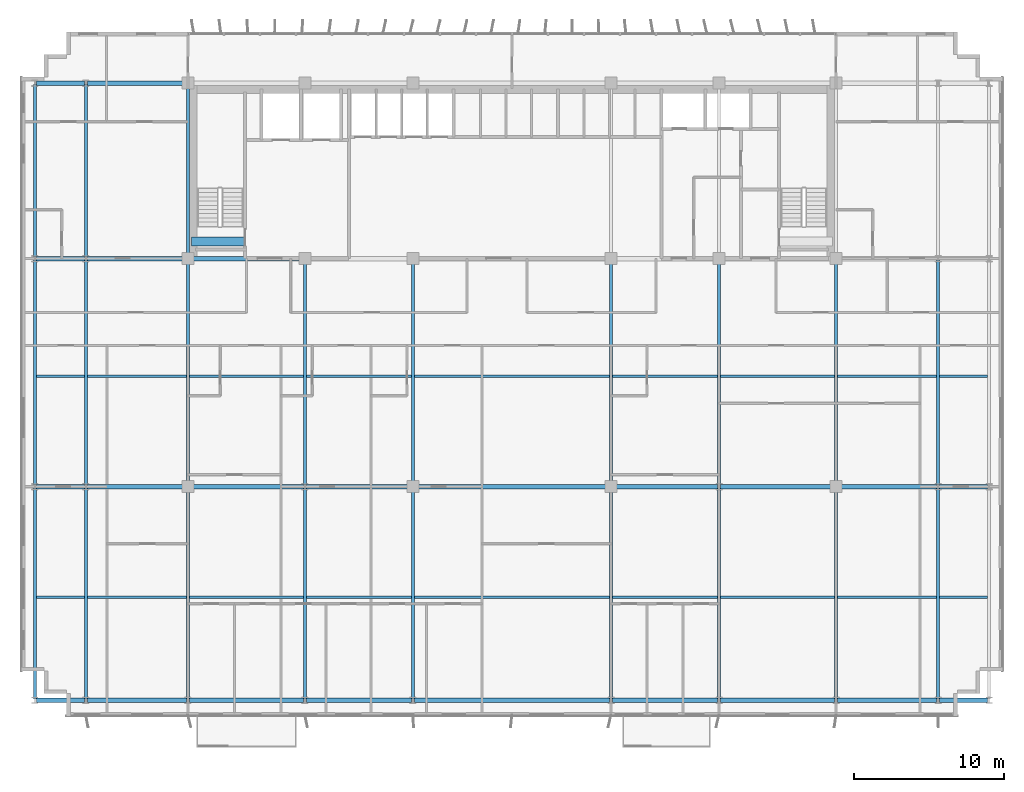
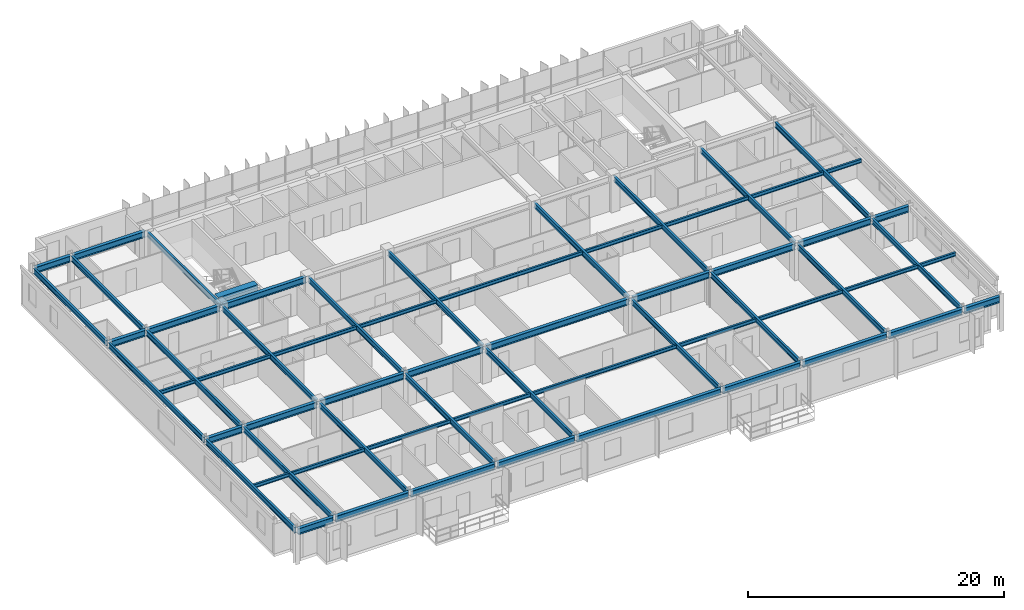
# One storey, part 4 of 22: 63 beams.
"""IFC4 building model written with IfcOpenShell, lengths in metres."""

from ifc_helpers import new_model, si_unit, direction, frame, origin, origin_2d, place, context, subcontext, project, spatial, rectangle, i_section, extrude, source, transform, mapped, material, material_profile, profile_set, type_object, element, save


model = new_model("IFC4")

# Units and contexts
model_context = context("Model", 3, precision=1e-05, world=origin(), true_north=direction((0.0, 1.0)))
body_context = subcontext(model_context, "Body", "Model", "MODEL_VIEW")
ifc_project = project(units=[si_unit("LENGTHUNIT", "METRE"), si_unit("AREAUNIT", "SQUARE_METRE"), si_unit("VOLUMEUNIT", "CUBIC_METRE"), si_unit("PLANEANGLEUNIT", "RADIAN"), si_unit("MASSUNIT", "GRAM", prefix="KILO")], contexts=[model_context])

# Site, building, storey
site_placement = place(None, origin())
site = spatial("IfcSite", under=ifc_project, at=site_placement, CompositionType="ELEMENT")
building_placement = place(site_placement, origin())
building = spatial("IfcBuilding", under=site, at=building_placement, Name="Trelvane Seafront Commons", CompositionType="ELEMENT")
storey_placement = place(building_placement, frame((0.0, 0.0, 117.699951171875)))
storey = spatial("IfcBuildingStorey", under=building, at=storey_placement, Name="L30", CompositionType="ELEMENT", Elevation=117.699951171875)

# Beams
ifc_material_1 = material(Name="Concrete C60/75", Category="concrete")
ifc_material_profile_1 = material_profile(ifc_material_1, rectangle(XDim=0.60009765625, YDim=0.89990234375, at=origin_2d()), Name="RC-600x900")
ifc_profile_set_1 = profile_set([ifc_material_profile_1], Name="Concrete C60/75")
beam_type_1 = type_object("IfcBeamType", Name="STR-LNT-RC600x900", PredefinedType="LINTEL", material=ifc_profile_set_1)
shared_shape_1 = source(origin(), body_context, "Body", "SweptSolid", [
    extrude(rectangle(XDim=0.60009765625, YDim=0.89990234375, at=origin_2d()), origin(), (0.0, 0.0, 1.0), 3.5498046875),
])
beam_1_placement = place(storey_placement, frame((15.85009765625, 34.550048828125, 2.89013671875), z_axis=(1.0, 0.0, 0.0), x_axis=(0.0, 1.0, 0.0)))
element("IfcBeam", 1, at=beam_1_placement, inside=storey, type_object=beam_type_1, Name="L30 Core Coupling Lintel Beam CB-85", PredefinedType="LINTEL", context=body_context, shape_type="MappedRepresentation", body=[
    mapped(shared_shape_1, transform((0.0, 0.0, 0.0), x_axis=(1.0, 0.0, 0.0), y_axis=(0.0, 1.0, 0.0), z_axis=(0.0, 0.0, 1.0), scale=1.0)),
])
ifc_material_2 = material(Name="Steel SM355 (S355)", Category="steel")
ifc_material_profile_2 = material_profile(ifc_material_2, i_section(OverallWidth=0.300048828125, OverallDepth=0.587890625, WebThickness=0.011962890625, FlangeThickness=0.02001953125, at=origin_2d()), Name="H-588x300x12x20")
ifc_profile_set_2 = profile_set([ifc_material_profile_2], Name="Steel SM355 (S355)")
beam_type_2 = type_object("IfcBeamType", Name="STR-BM-H588", PredefinedType="BEAM", material=ifc_profile_set_2)
shared_shape_2 = source(origin(), body_context, "Body", "SweptSolid", [
    extrude(i_section(OverallWidth=0.300048828125, OverallDepth=0.587890625, WebThickness=0.011962890625, FlangeThickness=0.02001953125, at=origin_2d()), origin(), (0.0, 0.0, 1.0), 7.550048828125),
])
beam_2_placement = place(storey_placement, frame((15.75, 18.199951171875, 3.046142578125), z_axis=(1.0, 0.0, 0.0), x_axis=(0.0, 1.0, 0.0)))
element("IfcBeam", 2, at=beam_2_placement, inside=storey, type_object=beam_type_2, Name="L30 Primary Girder G-12", PredefinedType="BEAM", context=body_context, shape_type="MappedRepresentation", body=[
    mapped(shared_shape_2, transform((0.0, 0.0, 0.0), x_axis=(1.0, 0.0, 0.0), y_axis=(0.0, 1.0, 0.0), z_axis=(0.0, 0.0, 1.0), scale=1.0)),
])
shared_shape_3 = source(origin(), body_context, "Body", "SweptSolid", [
    extrude(i_section(OverallWidth=0.300048828125, OverallDepth=0.587890625, WebThickness=0.011962890625, FlangeThickness=0.02001953125, at=origin_2d()), origin(), (0.0, 0.0, 1.0), 3.199951171875),
])
for number, where, z_axis, x_axis, name in (
    (3, (5.5, 3.949951171875, 3.046142578125), (1.0, 0.0, 0.0), (0.0, 1.0, 0.0), "L30 Primary Girder G-01"),
    (4, (65.699951171875, 3.949951171875, 3.046142578125), (1.0, 0.0, 0.0), (0.0, 1.0, 0.0), "L30 Primary Girder G-09"),
    (5, (5.5, 18.199951171875, 3.046142578125), (1.0, 0.0, 0.0), (0.0, 1.0, 0.0), "L30 Primary Girder G-10"),
    (6, (65.699951171875, 18.199951171875, 3.046142578125), (1.0, 0.0, 0.0), (0.0, 1.0, 0.0), "L30 Primary Girder G-18"),
    (7, (5.5, 33.39990234375, 3.046142578125), (1.0, 0.0, 0.0), (0.0, 1.0, 0.0), "L30 Primary Girder G-19"),
    (8, (5.5, 45.10009765625, 3.046142578125), (1.0, 0.0, 0.0), (0.0, 1.0, 0.0), "L30 Primary Girder G-28"),
):
    element("IfcBeam", number, at=place(storey_placement, frame(where, z_axis=z_axis, x_axis=x_axis)), inside=storey, type_object=beam_type_2, Name=name, PredefinedType="BEAM", context=body_context, shape_type="MappedRepresentation", body=[
        mapped(shared_shape_3, transform((0.0, 0.0, 0.0), x_axis=(1.0, 0.0, 0.0), y_axis=(0.0, 1.0, 0.0), z_axis=(0.0, 0.0, 1.0), scale=1.0)),
    ])
shared_shape_4 = source(origin(), body_context, "Body", "SweptSolid", [
    extrude(i_section(OverallWidth=0.300048828125, OverallDepth=0.587890625, WebThickness=0.011962890625, FlangeThickness=0.02001953125, at=origin_2d()), origin(), (0.0, 0.0, 1.0), 6.60009765625),
])
for number, where, z_axis, x_axis, name in (
    (9, (8.89990234375, 3.949951171875, 3.046142578125), (1.0, 0.0, 0.0), (0.0, 1.0, 0.0), "L30 Primary Girder G-02"),
    (10, (58.89990234375, 3.949951171875, 3.046142578125), (1.0, 0.0, 0.0), (0.0, 1.0, 0.0), "L30 Primary Girder G-08"),
):
    element("IfcBeam", number, at=place(storey_placement, frame(where, z_axis=z_axis, x_axis=x_axis)), inside=storey, type_object=beam_type_2, Name=name, PredefinedType="BEAM", context=body_context, shape_type="MappedRepresentation", body=[
        mapped(shared_shape_4, transform((0.0, 0.0, 0.0), x_axis=(1.0, 0.0, 0.0), y_axis=(0.0, 1.0, 0.0), z_axis=(0.0, 0.0, 1.0), scale=1.0)),
    ])
shared_shape_5 = source(origin(), body_context, "Body", "SweptSolid", [
    extrude(i_section(OverallWidth=0.300048828125, OverallDepth=0.587890625, WebThickness=0.011962890625, FlangeThickness=0.02001953125, at=origin_2d()), origin(), (0.0, 0.0, 1.0), 7.60009765625),
])
beam_3_placement = place(storey_placement, frame((15.699951171875, 3.949951171875, 3.046142578125), z_axis=(1.0, 0.0, 0.0), x_axis=(0.0, 1.0, 0.0)))
element("IfcBeam", 11, at=beam_3_placement, inside=storey, type_object=beam_type_2, Name="L30 Primary Girder G-03", PredefinedType="BEAM", context=body_context, shape_type="MappedRepresentation", body=[
    mapped(shared_shape_5, transform((0.0, 0.0, 0.0), x_axis=(1.0, 0.0, 0.0), y_axis=(0.0, 1.0, 0.0), z_axis=(0.0, 0.0, 1.0), scale=1.0)),
])
shared_shape_6 = source(origin(), body_context, "Body", "SweptSolid", [
    extrude(i_section(OverallWidth=0.300048828125, OverallDepth=0.587890625, WebThickness=0.011962890625, FlangeThickness=0.02001953125, at=origin_2d()), origin(), (0.0, 0.0, 1.0), 7.0),
])
for number, where, z_axis, x_axis, name in (
    (12, (23.5, 3.949951171875, 3.046142578125), (1.0, 0.0, 0.0), (0.0, 1.0, 0.0), "L30 Primary Girder G-04"),
    (13, (43.89990234375, 3.949951171875, 3.046142578125), (1.0, 0.0, 0.0), (0.0, 1.0, 0.0), "L30 Primary Girder G-06"),
):
    element("IfcBeam", number, at=place(storey_placement, frame(where, z_axis=z_axis, x_axis=x_axis)), inside=storey, type_object=beam_type_2, Name=name, PredefinedType="BEAM", context=body_context, shape_type="MappedRepresentation", body=[
        mapped(shared_shape_6, transform((0.0, 0.0, 0.0), x_axis=(1.0, 0.0, 0.0), y_axis=(0.0, 1.0, 0.0), z_axis=(0.0, 0.0, 1.0), scale=1.0)),
    ])
shared_shape_7 = source(origin(), body_context, "Body", "SweptSolid", [
    extrude(i_section(OverallWidth=0.300048828125, OverallDepth=0.587890625, WebThickness=0.011962890625, FlangeThickness=0.02001953125, at=origin_2d()), origin(), (0.0, 0.0, 1.0), 13.0),
])
beam_4_placement = place(storey_placement, frame((30.699951171875, 3.949951171875, 3.046142578125), z_axis=(1.0, 0.0, 0.0), x_axis=(0.0, 1.0, 0.0)))
element("IfcBeam", 14, at=beam_4_placement, inside=storey, type_object=beam_type_2, Name="L30 Primary Girder G-05", PredefinedType="BEAM", context=body_context, shape_type="MappedRepresentation", body=[
    mapped(shared_shape_7, transform((0.0, 0.0, 0.0), x_axis=(1.0, 0.0, 0.0), y_axis=(0.0, 1.0, 0.0), z_axis=(0.0, 0.0, 1.0), scale=1.0)),
])
shared_shape_8 = source(origin(), body_context, "Body", "SweptSolid", [
    extrude(i_section(OverallWidth=0.300048828125, OverallDepth=0.587890625, WebThickness=0.011962890625, FlangeThickness=0.02001953125, at=origin_2d()), origin(), (0.0, 0.0, 1.0), 7.599853515625),
])
beam_5_placement = place(storey_placement, frame((51.10009765625, 3.949951171875, 3.046142578125), z_axis=(1.0, 0.0, 0.0), x_axis=(0.0, 1.0, 0.0)))
element("IfcBeam", 15, at=beam_5_placement, inside=storey, type_object=beam_type_2, Name="L30 Primary Girder G-07", PredefinedType="BEAM", context=body_context, shape_type="MappedRepresentation", body=[
    mapped(shared_shape_8, transform((0.0, 0.0, 0.0), x_axis=(1.0, 0.0, 0.0), y_axis=(0.0, 1.0, 0.0), z_axis=(0.0, 0.0, 1.0), scale=1.0)),
])
shared_shape_9 = source(origin(), body_context, "Body", "SweptSolid", [
    extrude(i_section(OverallWidth=0.300048828125, OverallDepth=0.587890625, WebThickness=0.011962890625, FlangeThickness=0.02001953125, at=origin_2d()), origin(), (0.0, 0.0, 1.0), 6.550048828125),
])
for number, where, z_axis, x_axis, name in (
    (16, (8.89990234375, 18.199951171875, 3.046142578125), (1.0, 0.0, 0.0), (0.0, 1.0, 0.0), "L30 Primary Girder G-11"),
    (17, (58.949951171875, 18.199951171875, 3.046142578125), (1.0, 0.0, 0.0), (0.0, 1.0, 0.0), "L30 Primary Girder G-17"),
    (18, (8.89990234375, 33.39990234375, 3.046142578125), (1.0, 0.0, 0.0), (0.0, 1.0, 0.0), "L30 Primary Girder G-20"),
    (19, (8.89990234375, 45.10009765625, 3.046142578125), (1.0, 0.0, 0.0), (0.0, 1.0, 0.0), "L30 Primary Girder G-29"),
):
    element("IfcBeam", number, at=place(storey_placement, frame(where, z_axis=z_axis, x_axis=x_axis)), inside=storey, type_object=beam_type_2, Name=name, PredefinedType="BEAM", context=body_context, shape_type="MappedRepresentation", body=[
        mapped(shared_shape_9, transform((0.0, 0.0, 0.0), x_axis=(1.0, 0.0, 0.0), y_axis=(0.0, 1.0, 0.0), z_axis=(0.0, 0.0, 1.0), scale=1.0)),
    ])
shared_shape_10 = source(origin(), body_context, "Body", "SweptSolid", [
    extrude(i_section(OverallWidth=0.300048828125, OverallDepth=0.587890625, WebThickness=0.011962890625, FlangeThickness=0.02001953125, at=origin_2d()), origin(), (0.0, 0.0, 1.0), 6.949951171875),
])
for number, where, z_axis, x_axis, name in (
    (20, (23.5, 18.199951171875, 3.046142578125), (1.0, 0.0, 0.0), (0.0, 1.0, 0.0), "L30 Primary Girder G-13"),
    (21, (43.949951171875, 18.199951171875, 3.046142578125), (1.0, 0.0, 0.0), (0.0, 1.0, 0.0), "L30 Primary Girder G-15"),
):
    element("IfcBeam", number, at=place(storey_placement, frame(where, z_axis=z_axis, x_axis=x_axis)), inside=storey, type_object=beam_type_2, Name=name, PredefinedType="BEAM", context=body_context, shape_type="MappedRepresentation", body=[
        mapped(shared_shape_10, transform((0.0, 0.0, 0.0), x_axis=(1.0, 0.0, 0.0), y_axis=(0.0, 1.0, 0.0), z_axis=(0.0, 0.0, 1.0), scale=1.0)),
    ])
shared_shape_11 = source(origin(), body_context, "Body", "SweptSolid", [
    extrude(i_section(OverallWidth=0.300048828125, OverallDepth=0.587890625, WebThickness=0.011962890625, FlangeThickness=0.02001953125, at=origin_2d()), origin(), (0.0, 0.0, 1.0), 12.89990234375),
])
beam_6_placement = place(storey_placement, frame((30.75, 18.199951171875, 3.046142578125), z_axis=(1.0, 0.0, 0.0), x_axis=(0.0, 1.0, 0.0)))
element("IfcBeam", 22, at=beam_6_placement, inside=storey, type_object=beam_type_2, Name="L30 Primary Girder G-14", PredefinedType="BEAM", context=body_context, shape_type="MappedRepresentation", body=[
    mapped(shared_shape_11, transform((0.0, 0.0, 0.0), x_axis=(1.0, 0.0, 0.0), y_axis=(0.0, 1.0, 0.0), z_axis=(0.0, 0.0, 1.0), scale=1.0)),
])
shared_shape_12 = source(origin(), body_context, "Body", "SweptSolid", [
    extrude(i_section(OverallWidth=0.300048828125, OverallDepth=0.587890625, WebThickness=0.011962890625, FlangeThickness=0.02001953125, at=origin_2d()), origin(), (0.0, 0.0, 1.0), 7.5498046875),
])
beam_7_placement = place(storey_placement, frame((51.10009765625, 18.199951171875, 3.046142578125), z_axis=(1.0, 0.0, 0.0), x_axis=(0.0, 1.0, 0.0)))
element("IfcBeam", 23, at=beam_7_placement, inside=storey, type_object=beam_type_2, Name="L30 Primary Girder G-16", PredefinedType="BEAM", context=body_context, shape_type="MappedRepresentation", body=[
    mapped(shared_shape_12, transform((0.0, 0.0, 0.0), x_axis=(1.0, 0.0, 0.0), y_axis=(0.0, 1.0, 0.0), z_axis=(0.0, 0.0, 1.0), scale=1.0)),
])
shared_shape_13 = source(origin(), body_context, "Body", "SweptSolid", [
    extrude(i_section(OverallWidth=0.300048828125, OverallDepth=0.587890625, WebThickness=0.011962890625, FlangeThickness=0.02001953125, at=origin_2d()), origin(), (0.0, 0.0, 1.0), 7.5),
])
beam_8_placement = place(storey_placement, frame((15.75, 33.39990234375, 3.046142578125), z_axis=(1.0, 0.0, 0.0), x_axis=(0.0, 1.0, 0.0)))
element("IfcBeam", 24, at=beam_8_placement, inside=storey, type_object=beam_type_2, Name="L30 Primary Girder G-21", PredefinedType="BEAM", context=body_context, shape_type="MappedRepresentation", body=[
    mapped(shared_shape_13, transform((0.0, 0.0, 0.0), x_axis=(1.0, 0.0, 0.0), y_axis=(0.0, 1.0, 0.0), z_axis=(0.0, 0.0, 1.0), scale=1.0)),
])
ifc_material_profile_3 = material_profile(ifc_material_2, i_section(OverallWidth=0.199951171875, OverallDepth=0.5, WebThickness=0.010009765625, FlangeThickness=0.01611328125, at=origin_2d()), Name="H-500x200x10x16")
ifc_profile_set_3 = profile_set([ifc_material_profile_3], Name="Steel SM355 (S355)")
beam_type_3 = type_object("IfcBeamType", Name="STR-BM-H500", PredefinedType="BEAM", material=ifc_profile_set_3)
shared_shape_14 = source(origin(), body_context, "Body", "SweptSolid", [
    extrude(i_section(OverallWidth=0.199951171875, OverallDepth=0.5, WebThickness=0.010009765625, FlangeThickness=0.01611328125, at=origin_2d()), origin(), (0.0, 0.0, 1.0), 14.050048828125),
])
for number, where, z_axis, x_axis, name in (
    (25, (5.39990234375, 4.050048828125, 3.090087890625), (0.0, 1.0, 0.0), (-1.0, 0.0, 0.0), "L30 Primary Girder G-37"),
    (26, (8.800048828125, 4.050048828125, 3.090087890625), (0.0, 1.0, 0.0), (-1.0, 0.0, 0.0), "L30 Primary Girder G-40"),
    (27, (23.39990234375, 4.050048828125, 3.090087890625), (0.0, 1.0, 0.0), (-1.0, 0.0, 0.0), "L30 Primary Girder G-46"),
    (28, (51.0, 4.050048828125, 3.090087890625), (0.0, 1.0, 0.0), (-1.0, 0.0, 0.0), "L30 Primary Girder G-55"),
    (29, (65.60009765625, 4.050048828125, 3.090087890625), (0.0, 1.0, 0.0), (-1.0, 0.0, 0.0), "L30 Primary Girder G-61"),
):
    element("IfcBeam", number, at=place(storey_placement, frame(where, z_axis=z_axis, x_axis=x_axis)), inside=storey, type_object=beam_type_3, Name=name, PredefinedType="BEAM", context=body_context, shape_type="MappedRepresentation", body=[
        mapped(shared_shape_14, transform((0.0, 0.0, 0.0), x_axis=(1.0, 0.0, 0.0), y_axis=(0.0, 1.0, 0.0), z_axis=(0.0, 0.0, 1.0), scale=1.0)),
    ])
shared_shape_15 = source(origin(), body_context, "Body", "SweptSolid", [
    extrude(i_section(OverallWidth=0.199951171875, OverallDepth=0.5, WebThickness=0.010009765625, FlangeThickness=0.01611328125, at=origin_2d()), origin(), (0.0, 0.0, 1.0), 15.0),
])
for number, where, z_axis, x_axis, name in (
    (30, (5.39990234375, 18.300048828125, 3.090087890625), (0.0, 1.0, 0.0), (-1.0, 0.0, 0.0), "L30 Primary Girder G-38"),
    (31, (8.800048828125, 18.300048828125, 3.090087890625), (0.0, 1.0, 0.0), (-1.0, 0.0, 0.0), "L30 Primary Girder G-41"),
    (32, (65.60009765625, 18.300048828125, 3.090087890625), (0.0, 1.0, 0.0), (-1.0, 0.0, 0.0), "L30 Primary Girder G-62"),
):
    element("IfcBeam", number, at=place(storey_placement, frame(where, z_axis=z_axis, x_axis=x_axis)), inside=storey, type_object=beam_type_3, Name=name, PredefinedType="BEAM", context=body_context, shape_type="MappedRepresentation", body=[
        mapped(shared_shape_15, transform((0.0, 0.0, 0.0), x_axis=(1.0, 0.0, 0.0), y_axis=(0.0, 1.0, 0.0), z_axis=(0.0, 0.0, 1.0), scale=1.0)),
    ])
shared_shape_16 = source(origin(), body_context, "Body", "SweptSolid", [
    extrude(i_section(OverallWidth=0.199951171875, OverallDepth=0.5, WebThickness=0.010009765625, FlangeThickness=0.01611328125, at=origin_2d()), origin(), (0.0, 0.0, 1.0), 11.5),
])
for number, where, z_axis, x_axis, name in (
    (33, (5.39990234375, 33.5, 3.090087890625), (0.0, 1.0, 0.0), (-1.0, 0.0, 0.0), "L30 Primary Girder G-39"),
    (34, (8.800048828125, 33.5, 3.090087890625), (0.0, 1.0, 0.0), (-1.0, 0.0, 0.0), "L30 Primary Girder G-42"),
):
    element("IfcBeam", number, at=place(storey_placement, frame(where, z_axis=z_axis, x_axis=x_axis)), inside=storey, type_object=beam_type_3, Name=name, PredefinedType="BEAM", context=body_context, shape_type="MappedRepresentation", body=[
        mapped(shared_shape_16, transform((0.0, 0.0, 0.0), x_axis=(1.0, 0.0, 0.0), y_axis=(0.0, 1.0, 0.0), z_axis=(0.0, 0.0, 1.0), scale=1.0)),
    ])
shared_shape_17 = source(origin(), body_context, "Body", "SweptSolid", [
    extrude(i_section(OverallWidth=0.199951171875, OverallDepth=0.5, WebThickness=0.010009765625, FlangeThickness=0.01611328125, at=origin_2d()), origin(), (0.0, 0.0, 1.0), 14.0),
])
for number, where, z_axis, x_axis, name in (
    (35, (15.60009765625, 4.050048828125, 3.090087890625), (0.0, 1.0, 0.0), (-1.0, 0.0, 0.0), "L30 Primary Girder G-43"),
    (36, (30.60009765625, 4.050048828125, 3.090087890625), (0.0, 1.0, 0.0), (-1.0, 0.0, 0.0), "L30 Primary Girder G-49"),
    (37, (43.800048828125, 4.050048828125, 3.090087890625), (0.0, 1.0, 0.0), (-1.0, 0.0, 0.0), "L30 Primary Girder G-52"),
    (38, (58.800048828125, 4.050048828125, 3.090087890625), (0.0, 1.0, 0.0), (-1.0, 0.0, 0.0), "L30 Primary Girder G-58"),
):
    element("IfcBeam", number, at=place(storey_placement, frame(where, z_axis=z_axis, x_axis=x_axis)), inside=storey, type_object=beam_type_3, Name=name, PredefinedType="BEAM", context=body_context, shape_type="MappedRepresentation", body=[
        mapped(shared_shape_17, transform((0.0, 0.0, 0.0), x_axis=(1.0, 0.0, 0.0), y_axis=(0.0, 1.0, 0.0), z_axis=(0.0, 0.0, 1.0), scale=1.0)),
    ])
shared_shape_18 = source(origin(), body_context, "Body", "SweptSolid", [
    extrude(i_section(OverallWidth=0.199951171875, OverallDepth=0.5, WebThickness=0.010009765625, FlangeThickness=0.01611328125, at=origin_2d()), origin(), (0.0, 0.0, 1.0), 14.89990234375),
])
for number, where, z_axis, x_axis, name in (
    (39, (15.60009765625, 18.35009765625, 3.090087890625), (0.0, 1.0, 0.0), (-1.0, 0.0, 0.0), "L30 Primary Girder G-44"),
    (40, (30.60009765625, 18.35009765625, 3.090087890625), (0.0, 1.0, 0.0), (-1.0, 0.0, 0.0), "L30 Primary Girder G-50"),
    (41, (43.800048828125, 18.35009765625, 3.090087890625), (0.0, 1.0, 0.0), (-1.0, 0.0, 0.0), "L30 Primary Girder G-53"),
    (42, (58.800048828125, 18.35009765625, 3.090087890625), (0.0, 1.0, 0.0), (-1.0, 0.0, 0.0), "L30 Primary Girder G-59"),
):
    element("IfcBeam", number, at=place(storey_placement, frame(where, z_axis=z_axis, x_axis=x_axis)), inside=storey, type_object=beam_type_3, Name=name, PredefinedType="BEAM", context=body_context, shape_type="MappedRepresentation", body=[
        mapped(shared_shape_18, transform((0.0, 0.0, 0.0), x_axis=(1.0, 0.0, 0.0), y_axis=(0.0, 1.0, 0.0), z_axis=(0.0, 0.0, 1.0), scale=1.0)),
    ])
shared_shape_19 = source(origin(), body_context, "Body", "SweptSolid", [
    extrude(i_section(OverallWidth=0.199951171875, OverallDepth=0.5, WebThickness=0.010009765625, FlangeThickness=0.01611328125, at=origin_2d()), origin(), (0.0, 0.0, 1.0), 11.39990234375),
])
beam_9_placement = place(storey_placement, frame((15.60009765625, 33.550048828125, 3.090087890625), z_axis=(0.0, 1.0, 0.0), x_axis=(-1.0, 0.0, 0.0)))
element("IfcBeam", 43, at=beam_9_placement, inside=storey, type_object=beam_type_3, Name="L30 Primary Girder G-45", PredefinedType="BEAM", context=body_context, shape_type="MappedRepresentation", body=[
    mapped(shared_shape_19, transform((0.0, 0.0, 0.0), x_axis=(1.0, 0.0, 0.0), y_axis=(0.0, 1.0, 0.0), z_axis=(0.0, 0.0, 1.0), scale=1.0)),
])
shared_shape_20 = source(origin(), body_context, "Body", "SweptSolid", [
    extrude(i_section(OverallWidth=0.199951171875, OverallDepth=0.5, WebThickness=0.010009765625, FlangeThickness=0.01611328125, at=origin_2d()), origin(), (0.0, 0.0, 1.0), 14.949951171875),
])
for number, where, z_axis, x_axis, name in (
    (44, (23.39990234375, 18.300048828125, 3.090087890625), (0.0, 1.0, 0.0), (-1.0, 0.0, 0.0), "L30 Primary Girder G-47"),
    (45, (51.0, 18.300048828125, 3.090087890625), (0.0, 1.0, 0.0), (-1.0, 0.0, 0.0), "L30 Primary Girder G-56"),
):
    element("IfcBeam", number, at=place(storey_placement, frame(where, z_axis=z_axis, x_axis=x_axis)), inside=storey, type_object=beam_type_3, Name=name, PredefinedType="BEAM", context=body_context, shape_type="MappedRepresentation", body=[
        mapped(shared_shape_20, transform((0.0, 0.0, 0.0), x_axis=(1.0, 0.0, 0.0), y_axis=(0.0, 1.0, 0.0), z_axis=(0.0, 0.0, 1.0), scale=1.0)),
    ])
ifc_material_profile_4 = material_profile(ifc_material_2, i_section(OverallWidth=0.175048828125, OverallDepth=0.35009765625, WebThickness=0.007080078125, FlangeThickness=0.010986328125, at=origin_2d()), Name="H-350x175x7x11")
ifc_profile_set_4 = profile_set([ifc_material_profile_4], Name="Steel SM355 (S355)")
beam_type_4 = type_object("IfcBeamType", Name="STR-JST-H350", PredefinedType="JOIST", material=ifc_profile_set_4)
shared_shape_21 = source(origin(), body_context, "Body", "SweptSolid", [
    extrude(i_section(OverallWidth=0.175048828125, OverallDepth=0.35009765625, WebThickness=0.007080078125, FlangeThickness=0.010986328125, at=origin_2d()), origin(), (0.0, 0.0, 1.0), 3.199951171875),
])
for number, where, z_axis, x_axis, name in (
    (46, (5.5, 10.824951171875, 3.1650390625), (1.0, 0.0, 0.0), (0.0, 1.0, 0.0), "L30 Secondary Floor Joist B-67"),
    (47, (65.699951171875, 10.824951171875, 3.1650390625), (1.0, 0.0, 0.0), (0.0, 1.0, 0.0), "L30 Secondary Floor Joist B-75"),
    (48, (5.5, 25.550048828125, 3.1650390625), (1.0, 0.0, 0.0), (0.0, 1.0, 0.0), "L30 Secondary Floor Joist B-76"),
    (49, (65.699951171875, 25.550048828125, 3.1650390625), (1.0, 0.0, 0.0), (0.0, 1.0, 0.0), "L30 Secondary Floor Joist B-84"),
):
    element("IfcBeam", number, at=place(storey_placement, frame(where, z_axis=z_axis, x_axis=x_axis)), inside=storey, type_object=beam_type_4, Name=name, PredefinedType="JOIST", context=body_context, shape_type="MappedRepresentation", body=[
        mapped(shared_shape_21, transform((0.0, 0.0, 0.0), x_axis=(1.0, 0.0, 0.0), y_axis=(0.0, 1.0, 0.0), z_axis=(0.0, 0.0, 1.0), scale=1.0)),
    ])
shared_shape_22 = source(origin(), body_context, "Body", "SweptSolid", [
    extrude(i_section(OverallWidth=0.175048828125, OverallDepth=0.35009765625, WebThickness=0.007080078125, FlangeThickness=0.010986328125, at=origin_2d()), origin(), (0.0, 0.0, 1.0), 6.60009765625),
])
for number, where, z_axis, x_axis, name in (
    (50, (8.89990234375, 10.824951171875, 3.1650390625), (1.0, 0.0, 0.0), (0.0, 1.0, 0.0), "L30 Secondary Floor Joist B-68"),
    (51, (58.89990234375, 10.824951171875, 3.1650390625), (1.0, 0.0, 0.0), (0.0, 1.0, 0.0), "L30 Secondary Floor Joist B-74"),
    (52, (8.89990234375, 25.550048828125, 3.1650390625), (1.0, 0.0, 0.0), (0.0, 1.0, 0.0), "L30 Secondary Floor Joist B-77"),
    (53, (58.89990234375, 25.550048828125, 3.1650390625), (1.0, 0.0, 0.0), (0.0, 1.0, 0.0), "L30 Secondary Floor Joist B-83"),
):
    element("IfcBeam", number, at=place(storey_placement, frame(where, z_axis=z_axis, x_axis=x_axis)), inside=storey, type_object=beam_type_4, Name=name, PredefinedType="JOIST", context=body_context, shape_type="MappedRepresentation", body=[
        mapped(shared_shape_22, transform((0.0, 0.0, 0.0), x_axis=(1.0, 0.0, 0.0), y_axis=(0.0, 1.0, 0.0), z_axis=(0.0, 0.0, 1.0), scale=1.0)),
    ])
shared_shape_23 = source(origin(), body_context, "Body", "SweptSolid", [
    extrude(i_section(OverallWidth=0.175048828125, OverallDepth=0.35009765625, WebThickness=0.007080078125, FlangeThickness=0.010986328125, at=origin_2d()), origin(), (0.0, 0.0, 1.0), 7.60009765625),
])
for number, where, z_axis, x_axis, name in (
    (54, (15.699951171875, 10.824951171875, 3.1650390625), (1.0, 0.0, 0.0), (0.0, 1.0, 0.0), "L30 Secondary Floor Joist B-69"),
    (55, (15.699951171875, 25.550048828125, 3.1650390625), (1.0, 0.0, 0.0), (0.0, 1.0, 0.0), "L30 Secondary Floor Joist B-78"),
):
    element("IfcBeam", number, at=place(storey_placement, frame(where, z_axis=z_axis, x_axis=x_axis)), inside=storey, type_object=beam_type_4, Name=name, PredefinedType="JOIST", context=body_context, shape_type="MappedRepresentation", body=[
        mapped(shared_shape_23, transform((0.0, 0.0, 0.0), x_axis=(1.0, 0.0, 0.0), y_axis=(0.0, 1.0, 0.0), z_axis=(0.0, 0.0, 1.0), scale=1.0)),
    ])
shared_shape_24 = source(origin(), body_context, "Body", "SweptSolid", [
    extrude(i_section(OverallWidth=0.175048828125, OverallDepth=0.35009765625, WebThickness=0.007080078125, FlangeThickness=0.010986328125, at=origin_2d()), origin(), (0.0, 0.0, 1.0), 7.0),
])
for number, where, z_axis, x_axis, name in (
    (56, (23.5, 10.824951171875, 3.1650390625), (1.0, 0.0, 0.0), (0.0, 1.0, 0.0), "L30 Secondary Floor Joist B-70"),
    (57, (43.89990234375, 10.824951171875, 3.1650390625), (1.0, 0.0, 0.0), (0.0, 1.0, 0.0), "L30 Secondary Floor Joist B-72"),
    (58, (23.5, 25.550048828125, 3.1650390625), (1.0, 0.0, 0.0), (0.0, 1.0, 0.0), "L30 Secondary Floor Joist B-79"),
    (59, (43.89990234375, 25.550048828125, 3.1650390625), (1.0, 0.0, 0.0), (0.0, 1.0, 0.0), "L30 Secondary Floor Joist B-81"),
):
    element("IfcBeam", number, at=place(storey_placement, frame(where, z_axis=z_axis, x_axis=x_axis)), inside=storey, type_object=beam_type_4, Name=name, PredefinedType="JOIST", context=body_context, shape_type="MappedRepresentation", body=[
        mapped(shared_shape_24, transform((0.0, 0.0, 0.0), x_axis=(1.0, 0.0, 0.0), y_axis=(0.0, 1.0, 0.0), z_axis=(0.0, 0.0, 1.0), scale=1.0)),
    ])
shared_shape_25 = source(origin(), body_context, "Body", "SweptSolid", [
    extrude(i_section(OverallWidth=0.175048828125, OverallDepth=0.35009765625, WebThickness=0.007080078125, FlangeThickness=0.010986328125, at=origin_2d()), origin(), (0.0, 0.0, 1.0), 13.0),
])
for number, where, z_axis, x_axis, name in (
    (60, (30.699951171875, 10.824951171875, 3.1650390625), (1.0, 0.0, 0.0), (0.0, 1.0, 0.0), "L30 Secondary Floor Joist B-71"),
    (61, (30.699951171875, 25.550048828125, 3.1650390625), (1.0, 0.0, 0.0), (0.0, 1.0, 0.0), "L30 Secondary Floor Joist B-80"),
):
    element("IfcBeam", number, at=place(storey_placement, frame(where, z_axis=z_axis, x_axis=x_axis)), inside=storey, type_object=beam_type_4, Name=name, PredefinedType="JOIST", context=body_context, shape_type="MappedRepresentation", body=[
        mapped(shared_shape_25, transform((0.0, 0.0, 0.0), x_axis=(1.0, 0.0, 0.0), y_axis=(0.0, 1.0, 0.0), z_axis=(0.0, 0.0, 1.0), scale=1.0)),
    ])
shared_shape_26 = source(origin(), body_context, "Body", "SweptSolid", [
    extrude(i_section(OverallWidth=0.175048828125, OverallDepth=0.35009765625, WebThickness=0.007080078125, FlangeThickness=0.010986328125, at=origin_2d()), origin(), (0.0, 0.0, 1.0), 7.599853515625),
])
for number, where, z_axis, x_axis, name in (
    (62, (51.10009765625, 10.824951171875, 3.1650390625), (1.0, 0.0, 0.0), (0.0, 1.0, 0.0), "L30 Secondary Floor Joist B-73"),
    (63, (51.10009765625, 25.550048828125, 3.1650390625), (1.0, 0.0, 0.0), (0.0, 1.0, 0.0), "L30 Secondary Floor Joist B-82"),
):
    element("IfcBeam", number, at=place(storey_placement, frame(where, z_axis=z_axis, x_axis=x_axis)), inside=storey, type_object=beam_type_4, Name=name, PredefinedType="JOIST", context=body_context, shape_type="MappedRepresentation", body=[
        mapped(shared_shape_26, transform((0.0, 0.0, 0.0), x_axis=(1.0, 0.0, 0.0), y_axis=(0.0, 1.0, 0.0), z_axis=(0.0, 0.0, 1.0), scale=1.0)),
    ])

save(model, "model.ifc")
